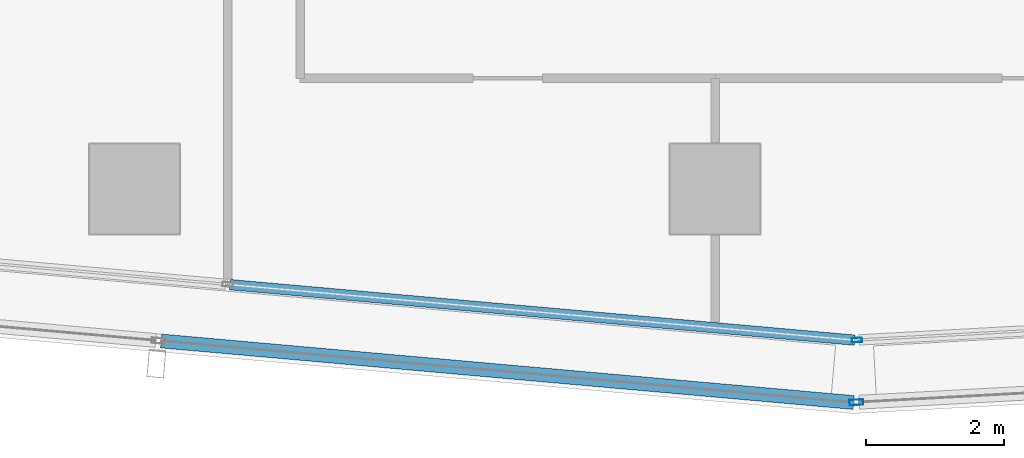
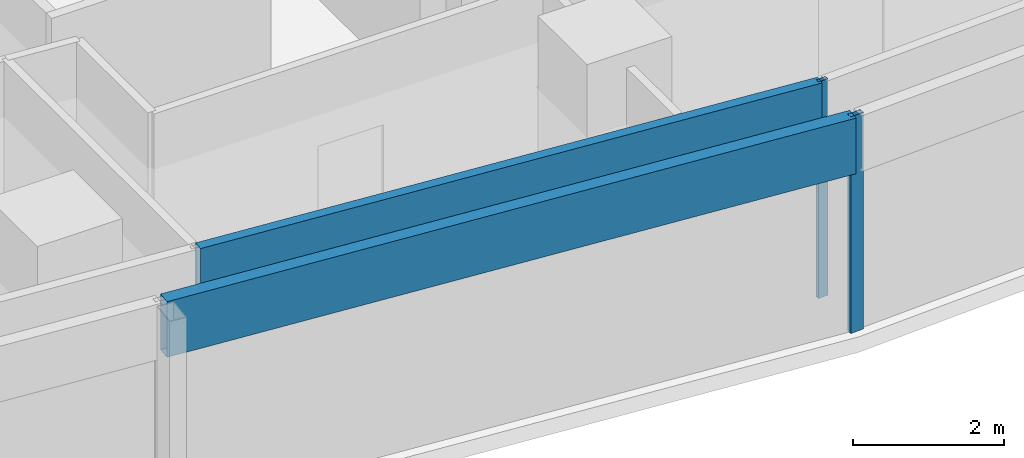
# One storey, part 5 of 28: 4 members, 4 elements without a shape of their own.
"""IFC4 building model written with IfcOpenShell, lengths in metres."""

from ifc_helpers import new_model, si_unit, direction, frame, origin, origin_2d, place, context, subcontext, project, spatial, hollow_rectangle, extrude, material, material_profile, profile_set, type_object, element, aggregate, save


model = new_model("IFC4")

# Units and contexts
model_context = context("Model", 3, precision=1e-05, world=origin(), true_north=direction((0.0, 1.0)))
body_context = subcontext(model_context, "Body", "Model", "MODEL_VIEW")
ifc_project = project(units=[si_unit("LENGTHUNIT", "METRE"), si_unit("AREAUNIT", "SQUARE_METRE"), si_unit("VOLUMEUNIT", "CUBIC_METRE"), si_unit("PLANEANGLEUNIT", "RADIAN"), si_unit("MASSUNIT", "GRAM", prefix="KILO")], contexts=[model_context])

# Site, building, storey
site_placement = place(None, origin())
site = spatial("IfcSite", under=ifc_project, at=site_placement, CompositionType="ELEMENT")
building_placement = place(site_placement, origin())
building = spatial("IfcBuilding", under=site, at=building_placement, Name="Rekha Terrace Tower", CompositionType="ELEMENT")
storey_placement = place(building_placement, frame((0.0, 0.0, 253.85009765625)))
storey = spatial("IfcBuildingStorey", under=building, at=storey_placement, Name="L64", CompositionType="ELEMENT", Elevation=253.85009765625)

# Curtain wall, member
ifc_material_1 = material(Name="Aluminium framing", Category="aluminium")
curtain_wall_type_1 = type_object("IfcCurtainWallType", Name="CW1 double skin inner glazing", PredefinedType="USERDEFINED", material=ifc_material_1)
curtain_wall_1_placement = place(storey_placement, origin())
curtain_wall_1 = element("IfcCurtainWall", 1, at=curtain_wall_1_placement, inside=storey, type_object=curtain_wall_type_1, Name="CW1 double skin inner glazing", ObjectType="DOUBLE SKIN INNER GLAZING", PredefinedType="USERDEFINED")
ifc_material_2 = material(Name="Aluminium mullion section", Category="aluminium")
ifc_material_profile_1 = material_profile(ifc_material_2, hollow_rectangle(XDim=0.06494140625, YDim=0.14990234375, WallThickness=0.00390625, at=origin_2d()), Name="AL RHS 65x150")
ifc_profile_set_1 = profile_set([ifc_material_profile_1], Name="Aluminium mullion section")
member_type_1 = type_object("IfcMemberType", Name="CW1 mullion RHS 65 x 150", PredefinedType="MULLION", material=ifc_profile_set_1)
member_1_placement = place(storey_placement, frame((27.254638671875, 14.6142578125, 0.0), z_axis=(0.0, 0.0, 1.0), x_axis=(-0.054388903036, 0.998519828159, 0.0)))
member_1 = element("IfcMember", 2, at=member_1_placement, type_object=member_type_1, Name="CW1 mullion 1", PredefinedType="MULLION", context=body_context, shape_type="SweptSolid", body=[
    extrude(hollow_rectangle(XDim=0.06494140625, YDim=0.14990234375, WallThickness=0.00390625, at=origin_2d()), origin(), (0.0, 0.0, 1.0), 3.5),
])
aggregate(curtain_wall_1, [member_1])

curtain_wall_2_placement = place(storey_placement, origin())
curtain_wall_2 = element("IfcCurtainWall", 3, at=curtain_wall_2_placement, inside=storey, type_object=curtain_wall_type_1, Name="CW1 double skin inner glazing", ObjectType="DOUBLE SKIN INNER GLAZING", PredefinedType="USERDEFINED")
ifc_material_3 = material(Name="Insulated aluminium spandrel box", Category="aluminium")
ifc_material_profile_2 = material_profile(ifc_material_3, hollow_rectangle(XDim=0.14990234375, YDim=0.89990234375, WallThickness=0.0029296875, at=origin_2d()), Name="AL SPANDREL BOX 150x900")
ifc_profile_set_2 = profile_set([ifc_material_profile_2], Name="Insulated aluminium spandrel box")
member_type_2 = type_object("IfcMemberType", Name="CW1 spandrel transom 150 x 900", PredefinedType="USERDEFINED", material=ifc_profile_set_2)
member_2_placement = place(storey_placement, frame((18.181884765625, 15.416015625, 3.0498046875), z_axis=(0.996073747712, -0.088527335432, 0.0), x_axis=(0.088527335432, 0.996073747712, 0.0)))
member_2 = element("IfcMember", 4, at=member_2_placement, type_object=member_type_2, Name="CW1 spandrel transom 2", ObjectType="TRANSOM", PredefinedType="USERDEFINED", context=body_context, shape_type="SweptSolid", body=[
    extrude(hollow_rectangle(XDim=0.14990234375, YDim=0.89990234375, WallThickness=0.0029296875, at=origin_2d()), origin(), (0.0, 0.0, 1.0), 9.075927734375),
])
aggregate(curtain_wall_2, [member_2])

curtain_wall_type_2 = type_object("IfcCurtainWallType", Name="CW2 double skin outer glazing", PredefinedType="USERDEFINED", material=ifc_material_1)
curtain_wall_3_placement = place(storey_placement, origin())
curtain_wall_3 = element("IfcCurtainWall", 5, at=curtain_wall_3_placement, inside=storey, type_object=curtain_wall_type_2, Name="CW2 double skin outer glazing", ObjectType="DOUBLE SKIN OUTER GLAZING", PredefinedType="USERDEFINED")
ifc_material_profile_3 = material_profile(ifc_material_2, hollow_rectangle(XDim=0.080078125, YDim=0.199951171875, WallThickness=0.00390625, at=origin_2d()), Name="AL RHS 80x200")
ifc_profile_set_3 = profile_set([ifc_material_profile_3], Name="Aluminium mullion section")
member_type_3 = type_object("IfcMemberType", Name="CW2 mullion RHS 80 x 200", PredefinedType="MULLION", material=ifc_profile_set_3)
member_3_placement = place(storey_placement, frame((27.24658203125, 13.712646484375, 0.0), z_axis=(0.0, 0.0, 1.0), x_axis=(-0.054388903071, 0.998519828157, 0.0)))
member_3 = element("IfcMember", 6, at=member_3_placement, type_object=member_type_3, Name="CW2 mullion 1", PredefinedType="MULLION", context=body_context, shape_type="SweptSolid", body=[
    extrude(hollow_rectangle(XDim=0.080078125, YDim=0.199951171875, WallThickness=0.00390625, at=origin_2d()), origin(), (0.0, 0.0, 1.0), 3.5),
])
aggregate(curtain_wall_3, [member_3])

curtain_wall_4_placement = place(storey_placement, origin())
curtain_wall_4 = element("IfcCurtainWall", 7, at=curtain_wall_4_placement, inside=storey, type_object=curtain_wall_type_2, Name="CW2 double skin outer glazing", ObjectType="DOUBLE SKIN OUTER GLAZING", PredefinedType="USERDEFINED")
ifc_material_profile_4 = material_profile(ifc_material_3, hollow_rectangle(XDim=0.199951171875, YDim=0.89990234375, WallThickness=0.0029296875, at=origin_2d()), Name="AL SPANDREL BOX 200x900")
ifc_profile_set_4 = profile_set([ifc_material_profile_4], Name="Insulated aluminium spandrel box")
member_type_4 = type_object("IfcMemberType", Name="CW2 spandrel transom 200 x 900", PredefinedType="USERDEFINED", material=ifc_profile_set_4)
member_4_placement = place(storey_placement, frame((17.188232421875, 14.600830078125, 3.0498046875), z_axis=(0.996074020135, -0.088524270188, 0.0), x_axis=(0.088524270188, 0.996074020135, 0.0)))
member_4 = element("IfcMember", 8, at=member_4_placement, type_object=member_type_4, Name="CW2 spandrel transom 2", ObjectType="TRANSOM", PredefinedType="USERDEFINED", context=body_context, shape_type="SweptSolid", body=[
    extrude(hollow_rectangle(XDim=0.199951171875, YDim=0.89990234375, WallThickness=0.0029296875, at=origin_2d()), origin(), (0.0, 0.0, 1.0), 10.05810546875),
])
aggregate(curtain_wall_4, [member_4])

save(model, "model.ifc")
